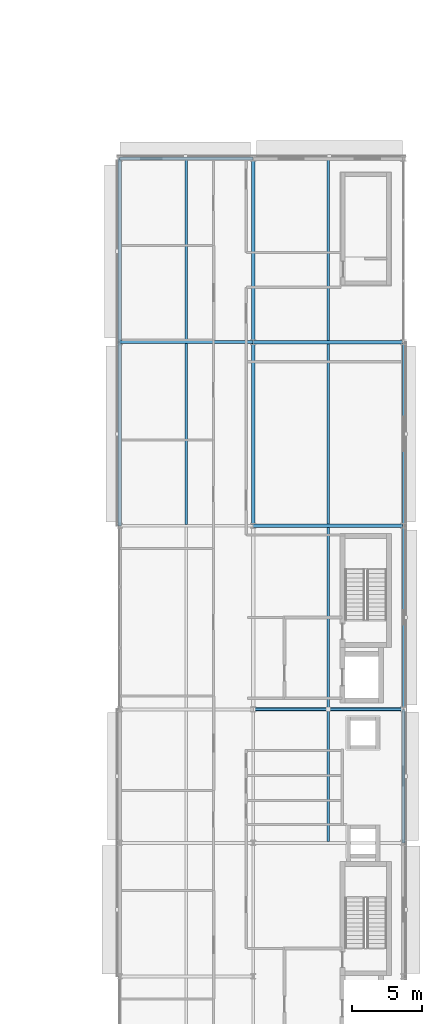
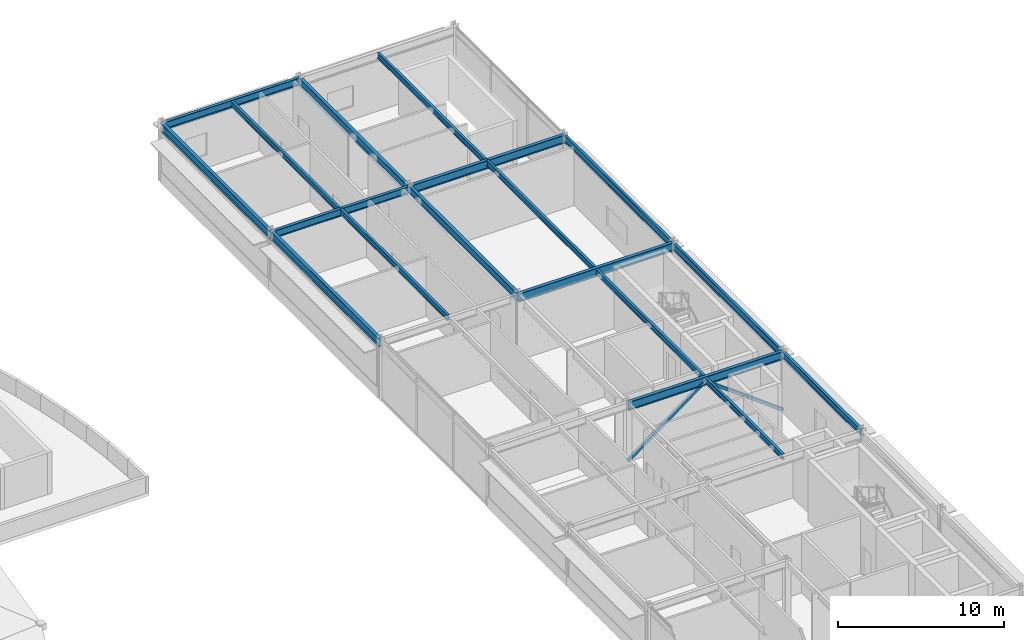
# One storey, part 23 of 50: 18 beams, 2 members.
"""IFC4 building model written with IfcOpenShell, lengths in metres."""

from ifc_helpers import new_model, si_unit, direction, frame, origin, origin_2d, place, context, subcontext, project, spatial, hollow_rectangle, i_section, extrude, material, material_profile, profile_set, type_object, element, save


model = new_model("IFC4")

# Units and contexts
model_context = context("Model", 3, precision=1e-05, world=origin(), true_north=direction((0.0, 1.0)))
body_context = subcontext(model_context, "Body", "Model", "MODEL_VIEW")
ifc_project = project(units=[si_unit("LENGTHUNIT", "METRE"), si_unit("AREAUNIT", "SQUARE_METRE"), si_unit("VOLUMEUNIT", "CUBIC_METRE"), si_unit("PLANEANGLEUNIT", "RADIAN"), si_unit("MASSUNIT", "GRAM", prefix="KILO")], contexts=[model_context])

# Site, building, storey
site_placement = place(None, origin())
site = spatial("IfcSite", under=ifc_project, at=site_placement, CompositionType="ELEMENT")
building_placement = place(site_placement, origin())
building = spatial("IfcBuilding", under=site, at=building_placement, Name="Almandine Court Research Institute", CompositionType="ELEMENT")
storey_placement = place(building_placement, frame((0.0, 0.0, 23.449951171875)))
storey = spatial("IfcBuildingStorey", under=building, at=storey_placement, Name="L05", CompositionType="ELEMENT", Elevation=23.449951171875)

# Beams
ifc_material_1 = material(Name="Steel ASTM A992 Grade 50", Category="steel")
ifc_material_profile_1 = material_profile(ifc_material_1, i_section(OverallWidth=0.178955078125, OverallDepth=0.409912109375, WebThickness=0.009033203125, FlangeThickness=0.013916015625, at=origin_2d()), Name="W410x67")
ifc_profile_set_1 = profile_set([ifc_material_profile_1], Name="Steel ASTM A992 Grade 50")
beam_type_1 = type_object("IfcBeamType", Name="Beam-B-02", PredefinedType="JOIST", material=ifc_profile_set_1)
beam_1_placement = place(storey_placement, frame((168.60009765625, 34.9130859375, 4.179931640625), z_axis=(0.0, 1.0, 0.0), x_axis=(-1.0, 0.0, 0.0)))
element("IfcBeam", 1, at=beam_1_placement, inside=storey, type_object=beam_type_1, Name="L05 V4 Composite Secondary Beam", PredefinedType="JOIST", context=body_context, shape_type="SweptSolid", body=[
    extrude(i_section(OverallWidth=0.178955078125, OverallDepth=0.409912109375, WebThickness=0.009033203125, FlangeThickness=0.013916015625, at=origin_2d()), origin(), (0.0, 0.0, 1.0), 9.3740234375),
])
beam_2_placement = place(storey_placement, frame((168.60009765625, 44.512939453125, 4.179931640625), z_axis=(0.0, 1.0, 0.0), x_axis=(-1.0, 0.0, 0.0)))
element("IfcBeam", 2, at=beam_2_placement, inside=storey, type_object=beam_type_1, Name="L05 V4 Composite Secondary Beam", PredefinedType="JOIST", context=body_context, shape_type="SweptSolid", body=[
    extrude(i_section(OverallWidth=0.178955078125, OverallDepth=0.409912109375, WebThickness=0.009033203125, FlangeThickness=0.013916015625, at=origin_2d()), origin(), (0.0, 0.0, 1.0), 12.97412109375),
])
beam_3_placement = place(storey_placement, frame((158.39990234375, 57.702880859375, 4.179931640625), z_axis=(0.0, 1.0, 0.0), x_axis=(-1.0, 0.0, 0.0)))
element("IfcBeam", 3, at=beam_3_placement, inside=storey, type_object=beam_type_1, Name="L05 V4 Composite Secondary Beam", PredefinedType="JOIST", context=body_context, shape_type="SweptSolid", body=[
    extrude(i_section(OverallWidth=0.178955078125, OverallDepth=0.409912109375, WebThickness=0.009033203125, FlangeThickness=0.013916015625, at=origin_2d()), origin(), (0.0, 0.0, 1.0), 12.994140625),
])
beam_4_placement = place(storey_placement, frame((168.60009765625, 57.712890625, 4.179931640625), z_axis=(0.0, 1.0, 0.0), x_axis=(-1.0, 0.0, 0.0)))
element("IfcBeam", 4, at=beam_4_placement, inside=storey, type_object=beam_type_1, Name="L05 V4 Composite Secondary Beam", PredefinedType="JOIST", context=body_context, shape_type="SweptSolid", body=[
    extrude(i_section(OverallWidth=0.178955078125, OverallDepth=0.409912109375, WebThickness=0.009033203125, FlangeThickness=0.013916015625, at=origin_2d()), origin(), (0.0, 0.0, 1.0), 12.97412109375),
])
beam_5_placement = place(storey_placement, frame((158.39990234375, 70.903076171875, 4.1181640625), z_axis=(0.0, 1.0, 0.0), x_axis=(-1.0, 0.0, 0.0)))
element("IfcBeam", 5, at=beam_5_placement, inside=storey, type_object=beam_type_1, Name="L05 V4 Composite Secondary Beam", PredefinedType="JOIST", context=body_context, shape_type="SweptSolid", body=[
    extrude(i_section(OverallWidth=0.178955078125, OverallDepth=0.409912109375, WebThickness=0.009033203125, FlangeThickness=0.013916015625, at=origin_2d()), origin(), (0.0, 0.0, 1.0), 12.993896484375),
])
beam_6_placement = place(storey_placement, frame((168.60009765625, 70.9130859375, 4.1181640625), z_axis=(0.0, 1.0, 0.0), x_axis=(-1.0, 0.0, 0.0)))
element("IfcBeam", 6, at=beam_6_placement, inside=storey, type_object=beam_type_1, Name="L05 V4 Composite Secondary Beam", PredefinedType="JOIST", context=body_context, shape_type="SweptSolid", body=[
    extrude(i_section(OverallWidth=0.178955078125, OverallDepth=0.409912109375, WebThickness=0.009033203125, FlangeThickness=0.013916015625, at=origin_2d()), origin(), (0.0, 0.0, 1.0), 12.973876953125),
])
ifc_material_profile_2 = material_profile(ifc_material_1, i_section(OverallWidth=0.22998046875, OverallDepth=0.616943359375, WebThickness=0.012939453125, FlangeThickness=0.02197265625, at=origin_2d()), Name="W610x140")
ifc_profile_set_2 = profile_set([ifc_material_profile_2], Name="Steel ASTM A992 Grade 50")
beam_type_2 = type_object("IfcBeamType", Name="Beam-G-02", PredefinedType="BEAM", material=ifc_profile_set_2)
for number, where, z_axis, x_axis, name in (
    (7, (163.199951171875, 44.39990234375, 4.0771484375), (1.0, 0.0, 0.0), (0.0, 1.0, 0.0), "L05 V4 Primary X Girder"),
    (8, (163.199951171875, 57.60009765625, 4.0771484375), (1.0, 0.0, 0.0), (0.0, 1.0, 0.0), "L05 V4 Primary X Girder"),
    (9, (163.199951171875, 70.800048828125, 4.01513671875), (1.0, 0.0, 0.0), (0.0, 1.0, 0.0), "L05 V4 Primary X Girder"),
):
    element("IfcBeam", number, at=place(storey_placement, frame(where, z_axis=z_axis, x_axis=x_axis)), inside=storey, type_object=beam_type_2, Name=name, PredefinedType="BEAM", context=body_context, shape_type="SweptSolid", body=[
        extrude(i_section(OverallWidth=0.22998046875, OverallDepth=0.616943359375, WebThickness=0.012939453125, FlangeThickness=0.02197265625, at=origin_2d()), origin(), (0.0, 0.0, 1.0), 10.800048828125),
    ])
ifc_material_profile_3 = material_profile(ifc_material_1, i_section(OverallWidth=0.22802734375, OverallDepth=0.60791015625, WebThickness=0.010986328125, FlangeThickness=0.01708984375, at=origin_2d()), Name="W610x113")
ifc_profile_set_3 = profile_set([ifc_material_profile_3], Name="Steel ASTM A992 Grade 50")
beam_type_3 = type_object("IfcBeamType", Name="Beam-G-03", PredefinedType="BEAM", material=ifc_profile_set_3)
for number, where, z_axis, x_axis, name in (
    (10, (153.60009765625, 57.60009765625, 4.0810546875), (0.0, 1.0, 0.0), (-1.0, 0.0, 0.0), "L05 V4 Primary Y Girder"),
    (11, (163.199951171875, 57.60009765625, 4.0810546875), (0.0, 1.0, 0.0), (-1.0, 0.0, 0.0), "L05 V4 Primary Y Girder"),
    (12, (153.60009765625, 70.800048828125, 4.01904296875), (0.0, 1.0, 0.0), (-1.0, 0.0, 0.0), "L05 V4 Primary Y Girder"),
    (13, (163.199951171875, 70.800048828125, 4.01904296875), (0.0, 1.0, 0.0), (-1.0, 0.0, 0.0), "L05 V4 Primary Y Girder"),
):
    element("IfcBeam", number, at=place(storey_placement, frame(where, z_axis=z_axis, x_axis=x_axis)), inside=storey, type_object=beam_type_3, Name=name, PredefinedType="BEAM", context=body_context, shape_type="SweptSolid", body=[
        extrude(i_section(OverallWidth=0.22802734375, OverallDepth=0.60791015625, WebThickness=0.010986328125, FlangeThickness=0.01708984375, at=origin_2d()), origin(), (0.0, 0.0, 1.0), 13.199951171875),
    ])
ifc_material_profile_4 = material_profile(ifc_material_1, i_section(OverallWidth=0.2109375, OverallDepth=0.5390625, WebThickness=0.011962890625, FlangeThickness=0.01904296875, at=origin_2d()), Name="W530x109")
ifc_profile_set_4 = profile_set([ifc_material_profile_4], Name="Steel ASTM A992 Grade 50")
beam_type_4 = type_object("IfcBeamType", Name="Beam-G-04", PredefinedType="BEAM", material=ifc_profile_set_4)
for number, where, z_axis, x_axis, name in (
    (14, (153.60009765625, 70.800048828125, 4.052978515625), (1.0, 0.0, 0.0), (0.0, 1.0, 0.0), "L05 V4 Primary X Girder"),
    (15, (153.60009765625, 84.0, 4.052978515625), (1.0, 0.0, 0.0), (0.0, 1.0, 0.0), "L05 V4 Primary X Girder"),
):
    element("IfcBeam", number, at=place(storey_placement, frame(where, z_axis=z_axis, x_axis=x_axis)), inside=storey, type_object=beam_type_4, Name=name, PredefinedType="BEAM", context=body_context, shape_type="SweptSolid", body=[
        extrude(i_section(OverallWidth=0.2109375, OverallDepth=0.5390625, WebThickness=0.011962890625, FlangeThickness=0.01904296875, at=origin_2d()), origin(), (0.0, 0.0, 1.0), 9.599853515625),
    ])
ifc_material_profile_5 = material_profile(ifc_material_1, i_section(OverallWidth=0.166015625, OverallDepth=0.534912109375, WebThickness=0.010009765625, FlangeThickness=0.01708984375, at=origin_2d()), Name="W530x85")
ifc_profile_set_5 = profile_set([ifc_material_profile_5], Name="Steel ASTM A992 Grade 50")
beam_type_5 = type_object("IfcBeamType", Name="Beam-G-05-E", PredefinedType="SPANDREL", material=ifc_profile_set_5)
beam_7_placement = place(storey_placement, frame((174.0, 44.39990234375, 4.1181640625), z_axis=(0.0, 1.0, 0.0), x_axis=(-1.0, 0.0, 0.0)))
element("IfcBeam", 16, at=beam_7_placement, inside=storey, type_object=beam_type_5, Name="L05 V4 Primary Y Girder", PredefinedType="SPANDREL", context=body_context, shape_type="SweptSolid", body=[
    extrude(i_section(OverallWidth=0.166015625, OverallDepth=0.534912109375, WebThickness=0.010009765625, FlangeThickness=0.01708984375, at=origin_2d()), origin(), (0.0, 0.0, 1.0), 13.2001953125),
])
beam_8_placement = place(storey_placement, frame((174.0, 57.60009765625, 4.1181640625), z_axis=(0.0, 1.0, 0.0), x_axis=(-1.0, 0.0, 0.0)))
element("IfcBeam", 17, at=beam_8_placement, inside=storey, type_object=beam_type_5, Name="L05 V4 Primary Y Girder", PredefinedType="SPANDREL", context=body_context, shape_type="SweptSolid", body=[
    extrude(i_section(OverallWidth=0.166015625, OverallDepth=0.534912109375, WebThickness=0.010009765625, FlangeThickness=0.01708984375, at=origin_2d()), origin(), (0.0, 0.0, 1.0), 13.199951171875),
])
ifc_material_profile_6 = material_profile(ifc_material_1, i_section(OverallWidth=0.193115234375, OverallDepth=0.466064453125, WebThickness=0.010986328125, FlangeThickness=0.01904296875, at=origin_2d()), Name="W460x97")
ifc_profile_set_6 = profile_set([ifc_material_profile_6], Name="Steel ASTM A992 Grade 50")
beam_type_6 = type_object("IfcBeamType", Name="Beam-G-06-E", PredefinedType="SPANDREL", material=ifc_profile_set_6)
beam_9_placement = place(storey_placement, frame((174.0, 34.800048828125, 4.152099609375), z_axis=(0.0, 1.0, 0.0), x_axis=(-1.0, 0.0, 0.0)))
element("IfcBeam", 18, at=beam_9_placement, inside=storey, type_object=beam_type_6, Name="L05 V4 Primary Y Girder", PredefinedType="SPANDREL", context=body_context, shape_type="SweptSolid", body=[
    extrude(i_section(OverallWidth=0.193115234375, OverallDepth=0.466064453125, WebThickness=0.010986328125, FlangeThickness=0.01904296875, at=origin_2d()), origin(), (0.0, 0.0, 1.0), 9.599853515625),
])

# Members
ifc_material_2 = material(Name="Steel ASTM A500 Grade C", Category="steel")
ifc_material_profile_7 = material_profile(ifc_material_2, hollow_rectangle(XDim=0.199951171875, YDim=0.199951171875, WallThickness=0.008056640625, at=origin_2d()), Name="HSS 200x200x8")
ifc_profile_set_7 = profile_set([ifc_material_profile_7], Name="Steel ASTM A500 Grade C")
member_type = type_object("IfcMemberType", Name="Mem-BF-BR2", PredefinedType="BRACE", material=ifc_profile_set_7)
for number, where, z_axis, x_axis, name in (
    (19, (163.199951171875, 44.39990234375, 0.02001953125), (0.801428188232, 0.0, 0.598091012394), (0.0, 1.0, 0.0), "L05 Seismic Chevron Brace V4-BF2 Left"),
    (20, (174.0, 44.39990234375, 0.02001953125), (-0.801415226812, 0.0, 0.598108380007), (0.0, -1.0, 0.0), "L05 Seismic Chevron Brace V4-BF2 Right"),
):
    element("IfcMember", number, at=place(storey_placement, frame(where, z_axis=z_axis, x_axis=x_axis)), inside=storey, type_object=member_type, Name=name, PredefinedType="BRACE", context=body_context, shape_type="SweptSolid", body=[
        extrude(hollow_rectangle(XDim=0.199951171875, YDim=0.199951171875, WallThickness=0.008056640625, at=origin_2d()), origin(), (0.0, 0.0, 1.0), 6.738037109375),
    ])

save(model, "model.ifc")
